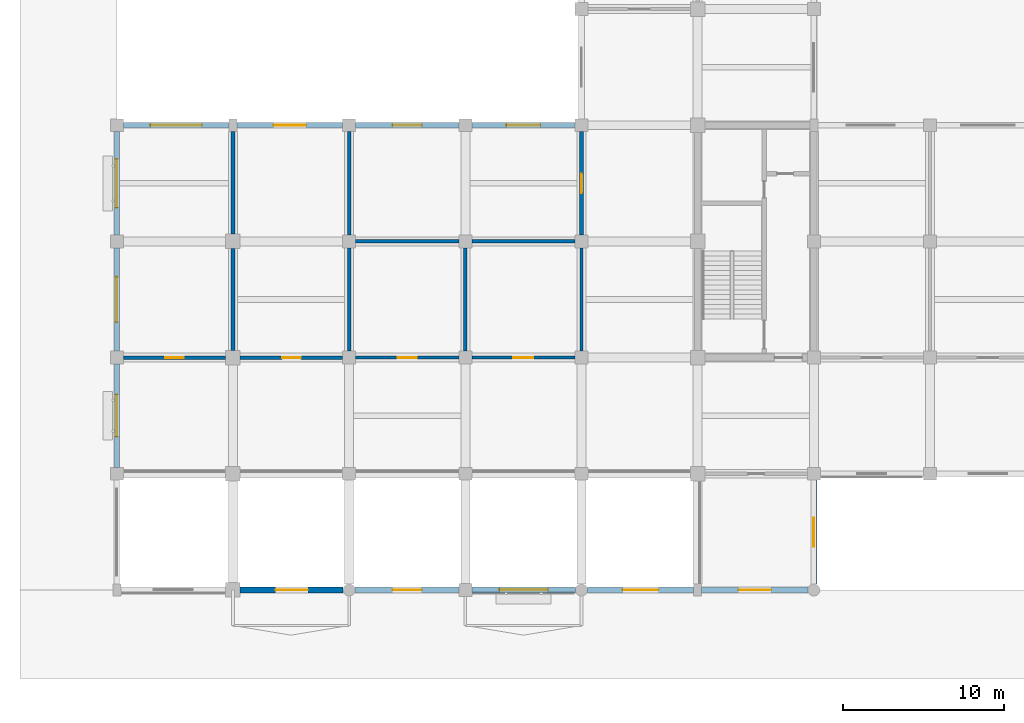
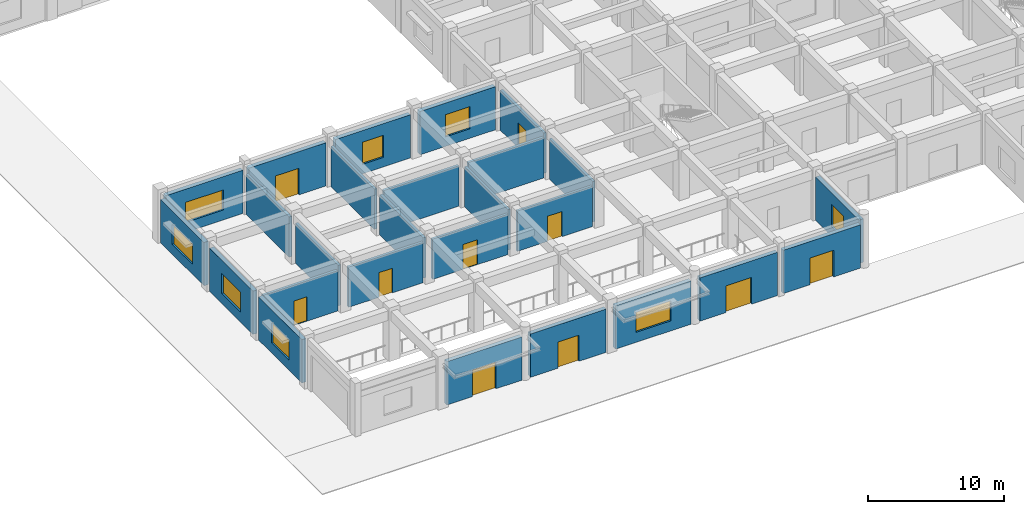
# One storey, part 8 of 37: 26 walls, 10 doors, 8 windows, 18 openings.
"""IFC4 building model written with IfcOpenShell, lengths in metres."""

from ifc_helpers import new_model, si_unit, direction, frame, frame_2d, origin, place, context, subcontext, project, spatial, rectangle, extrude, material, layer, layer_set, type_object, element, fill, save


model = new_model("IFC4")

# Units and contexts
model_context = context("Model", 3, precision=1e-05, world=origin(), true_north=direction((0.0, 1.0)))
body_context = subcontext(model_context, "Body", "Model", "MODEL_VIEW")
ifc_project = project(units=[si_unit("LENGTHUNIT", "METRE"), si_unit("AREAUNIT", "SQUARE_METRE"), si_unit("VOLUMEUNIT", "CUBIC_METRE"), si_unit("PLANEANGLEUNIT", "RADIAN"), si_unit("MASSUNIT", "GRAM", prefix="KILO")], contexts=[model_context])

# Site, building, storey
site_placement = place(None, origin())
site = spatial("IfcSite", under=ifc_project, at=site_placement, CompositionType="ELEMENT")
building_placement = place(site_placement, origin())
building = spatial("IfcBuilding", under=site, at=building_placement, Name="Cendaluz Park School", CompositionType="ELEMENT")
storey_placement = place(building_placement, origin())
storey = spatial("IfcBuildingStorey", under=building, at=storey_placement, Name="L00", CompositionType="ELEMENT", Elevation=0.0)

# Wall, opening, door
ifc_material_1 = material(Name="Gypsum Plasterboard on Cold-Formed Stud", Category="gypsum")
ifc_layer_1 = layer(ifc_material_1, 0.199951171875)
ifc_layer_set_1 = layer_set([ifc_layer_1], Name="Gypsum Plasterboard on Cold-Formed Stud")
wall_type_1 = type_object("IfcWallType", Name="W-AC20", PredefinedType="PARTITIONING", material=ifc_layer_set_1)
wall_1_placement = place(storey_placement, frame((14.800048828125, 14.39990234375, 0.0), z_axis=(0.0, 0.0, 1.0), x_axis=(1.0, 0.0, 0.0)))
wall_1 = element("IfcWall", 1, at=wall_1_placement, inside=storey, type_object=wall_type_1, Name="WL-FA-CI7", PredefinedType="PARTITIONING", context=body_context, shape_type="SweptSolid", body=[
    extrude(rectangle(XDim=6.39990234375, YDim=0.199951171875, at=frame_2d((3.199951171875, 0.0))), origin(), (0.0, 0.0, 1.0), 3.6201171875),
])
opening_1_placement = place(wall_1_placement, frame((2.60009765625, 0.0, 0.0)))
opening_1 = element("IfcOpeningElement", 2, at=opening_1_placement, cuts=wall_1, Name="Opening DCL-08", PredefinedType="OPENING", context=body_context, shape_type="SweptSolid", body=[
    extrude(rectangle(XDim=1.199951171875, YDim=2.239990234375, at=frame_2d((0.60009765625, 1.1201171875))), frame((0.0, 0.112060546875, 0.0), z_axis=(0.0, -1.0, 0.0), x_axis=(1.0, 0.0, 0.0)), (0.0, 0.0, 1.0), 0.223876953125),
])
ifc_material_2 = material(Name="Solid Core Hardwood", Category="wood")
door_type_1 = type_object("IfcDoorType", Name="DCL-08", OperationType="NOTDEFINED", PredefinedType="DOOR", material=ifc_material_2)
door_1_placement = place(opening_1_placement, origin())
door_1 = element("IfcDoor", 3, at=door_1_placement, inside=storey, type_object=door_type_1, Name="D-L00-090", OperationType="SINGLE_SWING_RIGHT", OverallHeight=2.239990234375, OverallWidth=1.199951171875, PredefinedType="DOOR", context=body_context, shape_type="SweptSolid", body=[
    extrude(rectangle(XDim=1.199951171875, YDim=2.239990234375, at=frame_2d((0.60009765625, 1.1201171875))), frame((0.0, 0.02490234375, 0.0), z_axis=(0.0, -1.0, 0.0), x_axis=(1.0, 0.0, 0.0)), (0.0, 0.0, 1.0), 0.050048828125),
])
fill(opening_1, door_1)

# Wall
wall_2_placement = place(storey_placement, frame((21.60009765625, 14.800048828125, 0.0), z_axis=(0.0, 0.0, 1.0), x_axis=(0.0, 1.0, 0.0)))
element("IfcWall", 4, at=wall_2_placement, inside=storey, type_object=wall_type_1, Name="WL-FA-CI8", PredefinedType="PARTITIONING", context=body_context, shape_type="SweptSolid", body=[
    extrude(rectangle(XDim=6.39990234375, YDim=0.199951171875, at=frame_2d((3.199951171875, 0.0))), origin(), (0.0, 0.0, 1.0), 3.6201171875),
])

# Wall, opening, door
wall_3_placement = place(storey_placement, frame((22.0, 14.39990234375, 0.0), z_axis=(0.0, 0.0, 1.0), x_axis=(1.0, 0.0, 0.0)))
wall_3 = element("IfcWall", 5, at=wall_3_placement, inside=storey, type_object=wall_type_1, Name="WL-FA-CI9", PredefinedType="PARTITIONING", context=body_context, shape_type="SweptSolid", body=[
    extrude(rectangle(XDim=6.39990234375, YDim=0.199951171875, at=frame_2d((3.199951171875, 0.0))), origin(), (0.0, 0.0, 1.0), 3.6201171875),
])
opening_2_placement = place(wall_3_placement, frame((2.580078125, 0.0, 0.0)))
opening_2 = element("IfcOpeningElement", 6, at=opening_2_placement, cuts=wall_3, Name="Opening DCL-09", PredefinedType="OPENING", context=body_context, shape_type="SweptSolid", body=[
    extrude(rectangle(XDim=1.239990234375, YDim=2.260009765625, at=frame_2d((0.6201171875, 1.1298828125))), frame((0.0, 0.112060546875, 0.0), z_axis=(0.0, -1.0, 0.0), x_axis=(1.0, 0.0, 0.0)), (0.0, 0.0, 1.0), 0.223876953125),
])
door_type_2 = type_object("IfcDoorType", Name="DCL-09", OperationType="NOTDEFINED", PredefinedType="DOOR", material=ifc_material_2)
door_2_placement = place(opening_2_placement, origin())
door_2 = element("IfcDoor", 7, at=door_2_placement, inside=storey, type_object=door_type_2, Name="D-L00-091", OperationType="SINGLE_SWING_LEFT", OverallHeight=2.260009765625, OverallWidth=1.239990234375, PredefinedType="DOOR", context=body_context, shape_type="SweptSolid", body=[
    extrude(rectangle(XDim=1.239990234375, YDim=2.260009765625, at=frame_2d((0.6201171875, 1.1298828125))), frame((0.0, 0.02490234375, 0.0), z_axis=(0.0, -1.0, 0.0), x_axis=(1.0, 0.0, 0.0)), (0.0, 0.0, 1.0), 0.050048828125),
])
fill(opening_2, door_2)

# Wall
wall_4_placement = place(storey_placement, frame((28.800048828125, 14.800048828125, 0.0), z_axis=(0.0, 0.0, 1.0), x_axis=(0.0, 1.0, 0.0)))
element("IfcWall", 8, at=wall_4_placement, inside=storey, type_object=wall_type_1, Name="WL-FA-CJ0", PredefinedType="PARTITIONING", context=body_context, shape_type="SweptSolid", body=[
    extrude(rectangle(XDim=6.39990234375, YDim=0.199951171875, at=frame_2d((3.199951171875, 0.0))), origin(), (0.0, 0.0, 1.0), 3.6201171875),
])

# Wall, opening, window
ifc_material_3 = material(Name="Concrete C40/50 precast", Category="concrete")
ifc_layer_2 = layer(ifc_material_3, 0.360107421875)
ifc_layer_set_2 = layer_set([ifc_layer_2], Name="Concrete C40/50 precast")
wall_type_2 = type_object("IfcWallType", Name="W-EX36", PredefinedType="SOLIDWALL", material=ifc_layer_set_2)
wall_5_placement = place(storey_placement, frame((0.0, 7.60009765625, 0.0), z_axis=(0.0, 0.0, 1.0), x_axis=(0.0, 1.0, 0.0)))
wall_5 = element("IfcWall", 9, at=wall_5_placement, inside=storey, type_object=wall_type_2, Name="WL-FA-AA2", PredefinedType="SOLIDWALL", context=body_context, shape_type="SweptSolid", body=[
    extrude(rectangle(XDim=6.39990234375, YDim=0.360107421875, at=frame_2d((3.199951171875, 0.0))), origin(), (0.0, 0.0, 1.0), 3.889892578125),
])
opening_3_placement = place(wall_5_placement, frame((1.89990234375, 0.0, 0.89990234375)))
opening_3 = element("IfcOpeningElement", 10, at=opening_3_placement, cuts=wall_5, Name="Opening WN-05", PredefinedType="OPENING", context=body_context, shape_type="SweptSolid", body=[
    extrude(rectangle(XDim=2.60009765625, YDim=1.800048828125, at=frame_2d((1.300048828125, 0.89990234375))), frame((0.0, 0.192138671875, 0.0), z_axis=(0.0, -1.0, 0.0), x_axis=(1.0, 0.0, 0.0)), (0.0, 0.0, 1.0), 0.384033203125),
])
ifc_material_4 = material(Name="Tempered Low-E Double Glazing", Category="glass")
window_type_1 = type_object("IfcWindowType", Name="WN-05", PartitioningType="SINGLE_PANEL", PredefinedType="WINDOW", material=ifc_material_4)
window_1_placement = place(opening_3_placement, origin())
window_1 = element("IfcWindow", 11, at=window_1_placement, inside=storey, type_object=window_type_1, Name="WN-L00-002", OverallHeight=1.800048828125, OverallWidth=2.60009765625, PartitioningType="SINGLE_PANEL", PredefinedType="WINDOW", context=body_context, shape_type="SweptSolid", body=[
    extrude(rectangle(XDim=2.60009765625, YDim=1.800048828125, at=frame_2d((1.300048828125, 0.89990234375))), frame((0.0, 0.030029296875, 0.0), z_axis=(0.0, -1.0, 0.0), x_axis=(1.0, 0.0, 0.0)), (0.0, 0.0, 1.0), 0.06005859375),
])
fill(opening_3, window_1)

wall_6_placement = place(storey_placement, frame((0.0, 14.800048828125, 0.0), z_axis=(0.0, 0.0, 1.0), x_axis=(0.0, 1.0, 0.0)))
wall_6 = element("IfcWall", 12, at=wall_6_placement, inside=storey, type_object=wall_type_2, Name="WL-FA-AA3", PredefinedType="SOLIDWALL", context=body_context, shape_type="SweptSolid", body=[
    extrude(rectangle(XDim=6.39990234375, YDim=0.360107421875, at=frame_2d((3.199951171875, 0.0))), origin(), (0.0, 0.0, 1.0), 3.889892578125),
])
opening_4_placement = place(wall_6_placement, frame((1.800048828125, 0.0, 0.89990234375)))
opening_4 = element("IfcOpeningElement", 13, at=opening_4_placement, cuts=wall_6, Name="Opening WN-06", PredefinedType="OPENING", context=body_context, shape_type="SweptSolid", body=[
    extrude(rectangle(XDim=2.800048828125, YDim=1.800048828125, at=frame_2d((1.39990234375, 0.89990234375))), frame((0.0, 0.192138671875, 0.0), z_axis=(0.0, -1.0, 0.0), x_axis=(1.0, 0.0, 0.0)), (0.0, 0.0, 1.0), 0.384033203125),
])
window_type_2 = type_object("IfcWindowType", Name="WN-06", PartitioningType="SINGLE_PANEL", PredefinedType="WINDOW", material=ifc_material_4)
window_2_placement = place(opening_4_placement, origin())
window_2 = element("IfcWindow", 14, at=window_2_placement, inside=storey, type_object=window_type_2, Name="WN-L00-003", OverallHeight=1.800048828125, OverallWidth=2.800048828125, PartitioningType="SINGLE_PANEL", PredefinedType="WINDOW", context=body_context, shape_type="SweptSolid", body=[
    extrude(rectangle(XDim=2.800048828125, YDim=1.800048828125, at=frame_2d((1.39990234375, 0.89990234375))), frame((0.0, 0.030029296875, 0.0), z_axis=(0.0, -1.0, 0.0), x_axis=(1.0, 0.0, 0.0)), (0.0, 0.0, 1.0), 0.06005859375),
])
fill(opening_4, window_2)

wall_7_placement = place(storey_placement, frame((0.39990234375, 28.800048828125, 0.0), z_axis=(0.0, 0.0, 1.0), x_axis=(1.0, 0.0, 0.0)))
wall_7 = element("IfcWall", 15, at=wall_7_placement, inside=storey, type_object=wall_type_2, Name="WL-FA-AA4", PredefinedType="SOLIDWALL", context=body_context, shape_type="SweptSolid", body=[
    extrude(rectangle(XDim=6.550048828125, YDim=0.360107421875, at=frame_2d((3.27490234375, 0.0))), origin(), (0.0, 0.0, 1.0), 3.889892578125),
])
opening_5_placement = place(wall_7_placement, frame((1.675048828125, 0.0, 0.89990234375)))
opening_5 = element("IfcOpeningElement", 16, at=opening_5_placement, cuts=wall_7, Name="Opening WN-08", PredefinedType="OPENING", context=body_context, shape_type="SweptSolid", body=[
    extrude(rectangle(XDim=3.199951171875, YDim=1.800048828125, at=frame_2d((1.60009765625, 0.89990234375))), frame((0.0, 0.192138671875, 0.0), z_axis=(0.0, -1.0, 0.0), x_axis=(1.0, 0.0, 0.0)), (0.0, 0.0, 1.0), 0.384033203125),
])
window_type_3 = type_object("IfcWindowType", Name="WN-08", PartitioningType="SINGLE_PANEL", PredefinedType="WINDOW", material=ifc_material_4)
window_3_placement = place(opening_5_placement, origin())
window_3 = element("IfcWindow", 17, at=window_3_placement, inside=storey, type_object=window_type_3, Name="WN-L00-004", OverallHeight=1.800048828125, OverallWidth=3.199951171875, PartitioningType="SINGLE_PANEL", PredefinedType="WINDOW", context=body_context, shape_type="SweptSolid", body=[
    extrude(rectangle(XDim=3.199951171875, YDim=1.800048828125, at=frame_2d((1.60009765625, 0.89990234375))), frame((0.0, 0.030029296875, 0.0), z_axis=(0.0, -1.0, 0.0), x_axis=(1.0, 0.0, 0.0)), (0.0, 0.0, 1.0), 0.06005859375),
])
fill(opening_5, window_3)

wall_8_placement = place(storey_placement, frame((0.0, 22.0, 0.0), z_axis=(0.0, 0.0, 1.0), x_axis=(0.0, 1.0, 0.0)))
wall_8 = element("IfcWall", 18, at=wall_8_placement, inside=storey, type_object=wall_type_2, Name="WL-FA-AA5", PredefinedType="SOLIDWALL", context=body_context, shape_type="SweptSolid", body=[
    extrude(rectangle(XDim=6.39990234375, YDim=0.360107421875, at=frame_2d((3.199951171875, 0.0))), origin(), (0.0, 0.0, 1.0), 3.889892578125),
])
opening_6_placement = place(wall_8_placement, frame((1.699951171875, 0.0, 0.89990234375)))
opening_6 = element("IfcOpeningElement", 19, at=opening_6_placement, cuts=wall_8, Name="Opening WN-07", PredefinedType="OPENING", context=body_context, shape_type="SweptSolid", body=[
    extrude(rectangle(XDim=3.0, YDim=1.800048828125, at=frame_2d((1.5, 0.89990234375))), frame((0.0, 0.192138671875, 0.0), z_axis=(0.0, -1.0, 0.0), x_axis=(1.0, 0.0, 0.0)), (0.0, 0.0, 1.0), 0.384033203125),
])
window_type_4 = type_object("IfcWindowType", Name="WN-07", PartitioningType="SINGLE_PANEL", PredefinedType="WINDOW", material=ifc_material_4)
window_4_placement = place(opening_6_placement, origin())
window_4 = element("IfcWindow", 20, at=window_4_placement, inside=storey, type_object=window_type_4, Name="WN-L00-005", OverallHeight=1.800048828125, OverallWidth=3.0, PartitioningType="SINGLE_PANEL", PredefinedType="WINDOW", context=body_context, shape_type="SweptSolid", body=[
    extrude(rectangle(XDim=3.0, YDim=1.800048828125, at=frame_2d((1.5, 0.89990234375))), frame((0.0, 0.030029296875, 0.0), z_axis=(0.0, -1.0, 0.0), x_axis=(1.0, 0.0, 0.0)), (0.0, 0.0, 1.0), 0.06005859375),
])
fill(opening_6, window_4)

# Wall, opening, door
wall_9_placement = place(storey_placement, frame((7.64990234375, 0.0, 0.0), z_axis=(0.0, 0.0, 1.0), x_axis=(1.0, 0.0, 0.0)))
wall_9 = element("IfcWall", 21, at=wall_9_placement, inside=storey, type_object=wall_type_2, Name="WL-FA-AB6", PredefinedType="SOLIDWALL", context=body_context, shape_type="SweptSolid", body=[
    extrude(rectangle(XDim=6.375, YDim=0.360107421875, at=frame_2d((3.1875, 0.0))), origin(), (0.0, 0.0, 1.0), 3.889892578125),
])
opening_7_placement = place(wall_9_placement, frame((2.1875, 0.0, 0.0)))
opening_7 = element("IfcOpeningElement", 22, at=opening_7_placement, cuts=wall_9, Name="Opening DEX-02", PredefinedType="OPENING", context=body_context, shape_type="SweptSolid", body=[
    extrude(rectangle(XDim=2.0, YDim=2.39990234375, at=frame_2d((1.0, 1.199951171875))), frame((0.0, 0.192138671875, 0.0), z_axis=(0.0, -1.0, 0.0), x_axis=(1.0, 0.0, 0.0)), (0.0, 0.0, 1.0), 0.384033203125),
])
ifc_material_5 = material(Name="Architectural Bronze")
door_type_3 = type_object("IfcDoorType", Name="DEX-02", OperationType="DOUBLE_DOOR_SINGLE_SWING", PredefinedType="DOOR", material=ifc_material_5)
door_3_placement = place(opening_7_placement, frame((2.0, 0.0, 0.0), z_axis=(0.0, 0.0, 1.0), x_axis=(-1.0, 0.0, 0.0)))
door_3 = element("IfcDoor", 23, at=door_3_placement, inside=storey, type_object=door_type_3, Name="D-L00-002", OperationType="DOUBLE_DOOR_SINGLE_SWING", OverallHeight=2.39990234375, OverallWidth=2.0, PredefinedType="DOOR", context=body_context, shape_type="SweptSolid", body=[
    extrude(rectangle(XDim=2.0, YDim=2.39990234375, at=frame_2d((1.0, 1.199951171875))), frame((0.0, 0.02490234375, 0.0), z_axis=(0.0, -1.0, 0.0), x_axis=(1.0, 0.0, 0.0)), (0.0, 0.0, 1.0), 0.050048828125),
])
fill(opening_7, door_3)

wall_10_placement = place(storey_placement, frame((7.449951171875, 28.800048828125, 0.0), z_axis=(0.0, 0.0, 1.0), x_axis=(1.0, 0.0, 0.0)))
wall_10 = element("IfcWall", 24, at=wall_10_placement, inside=storey, type_object=wall_type_2, Name="WL-FA-AB7", PredefinedType="SOLIDWALL", context=body_context, shape_type="SweptSolid", body=[
    extrude(rectangle(XDim=6.550048828125, YDim=0.360107421875, at=frame_2d((3.27490234375, 0.0))), origin(), (0.0, 0.0, 1.0), 3.889892578125),
])
opening_8_placement = place(wall_10_placement, frame((2.27490234375, 0.0, 0.0)))
opening_8 = element("IfcOpeningElement", 25, at=opening_8_placement, cuts=wall_10, Name="Opening DEX-02", PredefinedType="OPENING", context=body_context, shape_type="SweptSolid", body=[
    extrude(rectangle(XDim=2.0, YDim=2.39990234375, at=frame_2d((1.0, 1.199951171875))), frame((0.0, 0.192138671875, 0.0), z_axis=(0.0, -1.0, 0.0), x_axis=(1.0, 0.0, 0.0)), (0.0, 0.0, 1.0), 0.384033203125),
])
door_4_placement = place(opening_8_placement, origin())
door_4 = element("IfcDoor", 26, at=door_4_placement, inside=storey, type_object=door_type_3, Name="D-L00-003", OperationType="DOUBLE_DOOR_SINGLE_SWING", OverallHeight=2.39990234375, OverallWidth=2.0, PredefinedType="DOOR", context=body_context, shape_type="SweptSolid", body=[
    extrude(rectangle(XDim=2.0, YDim=2.39990234375, at=frame_2d((1.0, 1.199951171875))), frame((0.0, 0.02490234375, 0.0), z_axis=(0.0, -1.0, 0.0), x_axis=(1.0, 0.0, 0.0)), (0.0, 0.0, 1.0), 0.050048828125),
])
fill(opening_8, door_4)

wall_11_placement = place(storey_placement, frame((14.77490234375, 0.0, 0.0), z_axis=(0.0, 0.0, 1.0), x_axis=(1.0, 0.0, 0.0)))
wall_11 = element("IfcWall", 27, at=wall_11_placement, inside=storey, type_object=wall_type_2, Name="WL-FA-AC0", PredefinedType="SOLIDWALL", context=body_context, shape_type="SweptSolid", body=[
    extrude(rectangle(XDim=6.425048828125, YDim=0.360107421875, at=frame_2d((3.21240234375, 0.0))), origin(), (0.0, 0.0, 1.0), 3.889892578125),
])
opening_9_placement = place(wall_11_placement, frame((2.3125, 0.0, 0.0)))
opening_9 = element("IfcOpeningElement", 28, at=opening_9_placement, cuts=wall_11, Name="Opening DEX-03", PredefinedType="OPENING", context=body_context, shape_type="SweptSolid", body=[
    extrude(rectangle(XDim=1.800048828125, YDim=2.35009765625, at=frame_2d((0.89990234375, 1.175048828125))), frame((0.0, 0.192138671875, 0.0), z_axis=(0.0, -1.0, 0.0), x_axis=(1.0, 0.0, 0.0)), (0.0, 0.0, 1.0), 0.384033203125),
])
door_type_4 = type_object("IfcDoorType", Name="DEX-03", OperationType="DOUBLE_DOOR_SINGLE_SWING", PredefinedType="DOOR", material=ifc_material_5)
door_5_placement = place(opening_9_placement, frame((1.800048828125, 0.0, 0.0), z_axis=(0.0, 0.0, 1.0), x_axis=(-1.0, 0.0, 0.0)))
door_5 = element("IfcDoor", 29, at=door_5_placement, inside=storey, type_object=door_type_4, Name="D-L00-006", OperationType="DOUBLE_DOOR_SINGLE_SWING", OverallHeight=2.35009765625, OverallWidth=1.800048828125, PredefinedType="DOOR", context=body_context, shape_type="SweptSolid", body=[
    extrude(rectangle(XDim=1.800048828125, YDim=2.35009765625, at=frame_2d((0.89990234375, 1.175048828125))), frame((0.0, 0.02490234375, 0.0), z_axis=(0.0, -1.0, 0.0), x_axis=(1.0, 0.0, 0.0)), (0.0, 0.0, 1.0), 0.050048828125),
])
fill(opening_9, door_5)

# Wall, opening, window
wall_12_placement = place(storey_placement, frame((14.800048828125, 28.800048828125, 0.0), z_axis=(0.0, 0.0, 1.0), x_axis=(1.0, 0.0, 0.0)))
wall_12 = element("IfcWall", 30, at=wall_12_placement, inside=storey, type_object=wall_type_2, Name="WL-FA-AC1", PredefinedType="SOLIDWALL", context=body_context, shape_type="SweptSolid", body=[
    extrude(rectangle(XDim=6.39990234375, YDim=0.360107421875, at=frame_2d((3.199951171875, 0.0))), origin(), (0.0, 0.0, 1.0), 3.889892578125),
])
opening_10_placement = place(wall_12_placement, frame((2.300048828125, 0.0, 0.85009765625)))
opening_10 = element("IfcOpeningElement", 31, at=opening_10_placement, cuts=wall_12, Name="Opening WN-10", PredefinedType="OPENING", context=body_context, shape_type="SweptSolid", body=[
    extrude(rectangle(XDim=1.800048828125, YDim=2.0, at=frame_2d((0.89990234375, 1.0))), frame((0.0, 0.192138671875, 0.0), z_axis=(0.0, -1.0, 0.0), x_axis=(1.0, 0.0, 0.0)), (0.0, 0.0, 1.0), 0.384033203125),
])
window_type_5 = type_object("IfcWindowType", Name="WN-10", PartitioningType="SINGLE_PANEL", PredefinedType="WINDOW", material=ifc_material_4)
window_5_placement = place(opening_10_placement, origin())
window_5 = element("IfcWindow", 32, at=window_5_placement, inside=storey, type_object=window_type_5, Name="WN-L00-016", OverallHeight=2.0, OverallWidth=1.800048828125, PartitioningType="SINGLE_PANEL", PredefinedType="WINDOW", context=body_context, shape_type="SweptSolid", body=[
    extrude(rectangle(XDim=1.800048828125, YDim=2.0, at=frame_2d((0.89990234375, 1.0))), frame((0.0, 0.030029296875, 0.0), z_axis=(0.0, -1.0, 0.0), x_axis=(1.0, 0.0, 0.0)), (0.0, 0.0, 1.0), 0.06005859375),
])
fill(opening_10, window_5)

wall_13_placement = place(storey_placement, frame((22.0, 0.0, 0.0), z_axis=(0.0, 0.0, 1.0), x_axis=(1.0, 0.0, 0.0)))
wall_13 = element("IfcWall", 33, at=wall_13_placement, inside=storey, type_object=wall_type_2, Name="WL-FA-AC4", PredefinedType="SOLIDWALL", context=body_context, shape_type="SweptSolid", body=[
    extrude(rectangle(XDim=6.425048828125, YDim=0.360107421875, at=frame_2d((3.21240234375, 0.0))), origin(), (0.0, 0.0, 1.0), 3.889892578125),
])
opening_11_placement = place(wall_13_placement, frame((1.71240234375, 0.0, 0.89990234375)))
opening_11 = element("IfcOpeningElement", 34, at=opening_11_placement, cuts=wall_13, Name="Opening WN-07", PredefinedType="OPENING", context=body_context, shape_type="SweptSolid", body=[
    extrude(rectangle(XDim=3.0, YDim=1.800048828125, at=frame_2d((1.5, 0.89990234375))), frame((0.0, 0.192138671875, 0.0), z_axis=(0.0, -1.0, 0.0), x_axis=(1.0, 0.0, 0.0)), (0.0, 0.0, 1.0), 0.384033203125),
])
window_6_placement = place(opening_11_placement, origin())
window_6 = element("IfcWindow", 35, at=window_6_placement, inside=storey, type_object=window_type_4, Name="WN-L00-018", OverallHeight=1.800048828125, OverallWidth=3.0, PartitioningType="SINGLE_PANEL", PredefinedType="WINDOW", context=body_context, shape_type="SweptSolid", body=[
    extrude(rectangle(XDim=3.0, YDim=1.800048828125, at=frame_2d((1.5, 0.89990234375))), frame((0.0, 0.030029296875, 0.0), z_axis=(0.0, -1.0, 0.0), x_axis=(1.0, 0.0, 0.0)), (0.0, 0.0, 1.0), 0.06005859375),
])
fill(opening_11, window_6)

wall_14_placement = place(storey_placement, frame((22.0, 28.800048828125, 0.0), z_axis=(0.0, 0.0, 1.0), x_axis=(1.0, 0.0, 0.0)))
wall_14 = element("IfcWall", 36, at=wall_14_placement, inside=storey, type_object=wall_type_2, Name="WL-FA-AC5", PredefinedType="SOLIDWALL", context=body_context, shape_type="SweptSolid", body=[
    extrude(rectangle(XDim=6.39990234375, YDim=0.360107421875, at=frame_2d((3.199951171875, 0.0))), origin(), (0.0, 0.0, 1.0), 3.889892578125),
])
opening_12_placement = place(wall_14_placement, frame((2.14990234375, 0.0, 0.85009765625)))
opening_12 = element("IfcOpeningElement", 37, at=opening_12_placement, cuts=wall_14, Name="Opening WN-11", PredefinedType="OPENING", context=body_context, shape_type="SweptSolid", body=[
    extrude(rectangle(XDim=2.10009765625, YDim=2.0, at=frame_2d((1.050048828125, 1.0))), frame((0.0, 0.192138671875, 0.0), z_axis=(0.0, -1.0, 0.0), x_axis=(1.0, 0.0, 0.0)), (0.0, 0.0, 1.0), 0.384033203125),
])
window_type_6 = type_object("IfcWindowType", Name="WN-11", PartitioningType="SINGLE_PANEL", PredefinedType="WINDOW", material=ifc_material_4)
window_7_placement = place(opening_12_placement, origin())
window_7 = element("IfcWindow", 38, at=window_7_placement, inside=storey, type_object=window_type_6, Name="WN-L00-019", OverallHeight=2.0, OverallWidth=2.10009765625, PartitioningType="SINGLE_PANEL", PredefinedType="WINDOW", context=body_context, shape_type="SweptSolid", body=[
    extrude(rectangle(XDim=2.10009765625, YDim=2.0, at=frame_2d((1.050048828125, 1.0))), frame((0.0, 0.030029296875, 0.0), z_axis=(0.0, -1.0, 0.0), x_axis=(1.0, 0.0, 0.0)), (0.0, 0.0, 1.0), 0.06005859375),
])
fill(opening_12, window_7)

# Wall, opening, door
wall_15_placement = place(storey_placement, frame((29.175048828125, 0.0, 0.0), z_axis=(0.0, 0.0, 1.0), x_axis=(1.0, 0.0, 0.0)))
wall_15 = element("IfcWall", 39, at=wall_15_placement, inside=storey, type_object=wall_type_2, Name="WL-FA-AC8", PredefinedType="SOLIDWALL", context=body_context, shape_type="SweptSolid", body=[
    extrude(rectangle(XDim=6.574951171875, YDim=0.360107421875, at=frame_2d((3.28759765625, 0.0))), origin(), (0.0, 0.0, 1.0), 3.889892578125),
])
opening_13_placement = place(wall_15_placement, frame((2.1875, 0.0, 0.0)))
opening_13 = element("IfcOpeningElement", 40, at=opening_13_placement, cuts=wall_15, Name="Opening DEX-01", PredefinedType="OPENING", context=body_context, shape_type="SweptSolid", body=[
    extrude(rectangle(XDim=2.199951171875, YDim=2.39990234375, at=frame_2d((1.10009765625, 1.199951171875))), frame((0.0, 0.192138671875, 0.0), z_axis=(0.0, -1.0, 0.0), x_axis=(1.0, 0.0, 0.0)), (0.0, 0.0, 1.0), 0.384033203125),
])
door_type_5 = type_object("IfcDoorType", Name="DEX-01", OperationType="DOUBLE_DOOR_SINGLE_SWING", PredefinedType="DOOR", material=ifc_material_5)
door_6_placement = place(opening_13_placement, frame((2.199951171875, 0.0, 0.0), z_axis=(0.0, 0.0, 1.0), x_axis=(-1.0, 0.0, 0.0)))
door_6 = element("IfcDoor", 41, at=door_6_placement, inside=storey, type_object=door_type_5, Name="D-L00-008", OperationType="DOUBLE_DOOR_SINGLE_SWING", OverallHeight=2.39990234375, OverallWidth=2.199951171875, PredefinedType="DOOR", context=body_context, shape_type="SweptSolid", body=[
    extrude(rectangle(XDim=2.199951171875, YDim=2.39990234375, at=frame_2d((1.10009765625, 1.199951171875))), frame((0.0, 0.02490234375, 0.0), z_axis=(0.0, -1.0, 0.0), x_axis=(1.0, 0.0, 0.0)), (0.0, 0.0, 1.0), 0.050048828125),
])
fill(opening_13, door_6)

wall_16_placement = place(storey_placement, frame((36.25, 0.0, 0.0), z_axis=(0.0, 0.0, 1.0), x_axis=(1.0, 0.0, 0.0)))
wall_16 = element("IfcWall", 42, at=wall_16_placement, inside=storey, type_object=wall_type_2, Name="WL-FA-AD2", PredefinedType="SOLIDWALL", context=body_context, shape_type="SweptSolid", body=[
    extrude(rectangle(XDim=6.574951171875, YDim=0.360107421875, at=frame_2d((3.28759765625, 0.0))), origin(), (0.0, 0.0, 1.0), 3.889892578125),
])
opening_14_placement = place(wall_16_placement, frame((2.28759765625, 0.0, 0.0)))
opening_14 = element("IfcOpeningElement", 43, at=opening_14_placement, cuts=wall_16, Name="Opening DEX-02", PredefinedType="OPENING", context=body_context, shape_type="SweptSolid", body=[
    extrude(rectangle(XDim=2.0, YDim=2.39990234375, at=frame_2d((1.0, 1.199951171875))), frame((0.0, 0.192138671875, 0.0), z_axis=(0.0, -1.0, 0.0), x_axis=(1.0, 0.0, 0.0)), (0.0, 0.0, 1.0), 0.384033203125),
])
door_7_placement = place(opening_14_placement, frame((2.0, 0.0, 0.0), z_axis=(0.0, 0.0, 1.0), x_axis=(-1.0, 0.0, 0.0)))
door_7 = element("IfcDoor", 44, at=door_7_placement, inside=storey, type_object=door_type_3, Name="D-L00-010", OperationType="DOUBLE_DOOR_SINGLE_SWING", OverallHeight=2.39990234375, OverallWidth=2.0, PredefinedType="DOOR", context=body_context, shape_type="SweptSolid", body=[
    extrude(rectangle(XDim=2.0, YDim=2.39990234375, at=frame_2d((1.0, 1.199951171875))), frame((0.0, 0.02490234375, 0.0), z_axis=(0.0, -1.0, 0.0), x_axis=(1.0, 0.0, 0.0)), (0.0, 0.0, 1.0), 0.050048828125),
])
fill(opening_14, door_7)

# Wall, opening, window
wall_17_placement = place(storey_placement, frame((43.199951171875, 0.375, 0.0), z_axis=(0.0, 0.0, 1.0), x_axis=(0.0, 1.0, 0.0)))
wall_17 = element("IfcWall", 45, at=wall_17_placement, inside=storey, type_object=wall_type_2, Name="WL-FA-AD3", PredefinedType="SOLIDWALL", context=body_context, shape_type="SweptSolid", body=[
    extrude(rectangle(XDim=6.425048828125, YDim=0.360107421875, at=frame_2d((3.21240234375, 0.0))), origin(), (0.0, 0.0, 1.0), 3.889892578125),
])
opening_15_placement = place(wall_17_placement, frame((2.3125, 0.0, 0.85009765625)))
opening_15 = element("IfcOpeningElement", 46, at=opening_15_placement, cuts=wall_17, Name="Opening WN-10", PredefinedType="OPENING", context=body_context, shape_type="SweptSolid", body=[
    extrude(rectangle(XDim=1.800048828125, YDim=2.0, at=frame_2d((0.89990234375, 1.0))), frame((0.0, 0.192138671875, 0.0), z_axis=(0.0, -1.0, 0.0), x_axis=(1.0, 0.0, 0.0)), (0.0, 0.0, 1.0), 0.384033203125),
])
window_8_placement = place(opening_15_placement, origin())
window_8 = element("IfcWindow", 47, at=window_8_placement, inside=storey, type_object=window_type_5, Name="WN-L00-024", OverallHeight=2.0, OverallWidth=1.800048828125, PartitioningType="SINGLE_PANEL", PredefinedType="WINDOW", context=body_context, shape_type="SweptSolid", body=[
    extrude(rectangle(XDim=1.800048828125, YDim=2.0, at=frame_2d((0.89990234375, 1.0))), frame((0.0, 0.030029296875, 0.0), z_axis=(0.0, -1.0, 0.0), x_axis=(1.0, 0.0, 0.0)), (0.0, 0.0, 1.0), 0.06005859375),
])
fill(opening_15, window_8)

# Wall, opening, door
ifc_layer_3 = layer(ifc_material_1, 0.219970703125)
ifc_layer_set_3 = layer_set([ifc_layer_3], Name="Gypsum Plasterboard on Cold-Formed Stud")
wall_type_3 = type_object("IfcWallType", Name="W-LB22", PredefinedType="PARTITIONING", material=ifc_layer_set_3)
wall_18_placement = place(storey_placement, frame((0.39990234375, 14.39990234375, 0.0), z_axis=(0.0, 0.0, 1.0), x_axis=(1.0, 0.0, 0.0)))
wall_18 = element("IfcWall", 48, at=wall_18_placement, inside=storey, type_object=wall_type_3, Name="WL-FA-CF5", PredefinedType="PARTITIONING", context=body_context, shape_type="SweptSolid", body=[
    extrude(rectangle(XDim=6.35009765625, YDim=0.219970703125, at=frame_2d((3.175048828125, 0.0))), origin(), (0.0, 0.0, 1.0), 3.6201171875),
])
opening_16_placement = place(wall_18_placement, frame((2.614990234375, 0.0, 0.0)))
opening_16 = element("IfcOpeningElement", 49, at=opening_16_placement, cuts=wall_18, Name="Opening DCL-06", PredefinedType="OPENING", context=body_context, shape_type="SweptSolid", body=[
    extrude(rectangle(XDim=1.1201171875, YDim=2.199951171875, at=frame_2d((0.56005859375, 1.10009765625))), frame((0.0, 0.1220703125, 0.0), z_axis=(0.0, -1.0, 0.0), x_axis=(1.0, 0.0, 0.0)), (0.0, 0.0, 1.0), 0.243896484375),
])
door_type_6 = type_object("IfcDoorType", Name="DCL-06", OperationType="NOTDEFINED", PredefinedType="DOOR", material=ifc_material_2)
door_8_placement = place(opening_16_placement, frame((1.1201171875, 0.0, 0.0), z_axis=(0.0, 0.0, 1.0), x_axis=(-1.0, 0.0, 0.0)))
door_8 = element("IfcDoor", 50, at=door_8_placement, inside=storey, type_object=door_type_6, Name="D-L00-078", OperationType="SINGLE_SWING_RIGHT", OverallHeight=2.199951171875, OverallWidth=1.1201171875, PredefinedType="DOOR", context=body_context, shape_type="SweptSolid", body=[
    extrude(rectangle(XDim=1.1201171875, YDim=2.199951171875, at=frame_2d((0.56005859375, 1.10009765625))), frame((0.0, 0.02490234375, 0.0), z_axis=(0.0, -1.0, 0.0), x_axis=(1.0, 0.0, 0.0)), (0.0, 0.0, 1.0), 0.050048828125),
])
fill(opening_16, door_8)

# Walls
wall_19_placement = place(storey_placement, frame((7.199951171875, 14.85009765625, 0.0), z_axis=(0.0, 0.0, 1.0), x_axis=(0.0, 1.0, 0.0)))
element("IfcWall", 51, at=wall_19_placement, inside=storey, type_object=wall_type_3, Name="WL-FA-CF6", PredefinedType="PARTITIONING", context=body_context, shape_type="SweptSolid", body=[
    extrude(rectangle(XDim=6.2998046875, YDim=0.219970703125, at=frame_2d((3.14990234375, 0.0))), origin(), (0.0, 0.0, 1.0), 3.6201171875),
])
wall_20_placement = place(storey_placement, frame((7.199951171875, 22.050048828125, 0.0), z_axis=(0.0, 0.0, 1.0), x_axis=(0.0, 1.0, 0.0)))
element("IfcWall", 52, at=wall_20_placement, inside=storey, type_object=wall_type_3, Name="WL-FA-CF7", PredefinedType="PARTITIONING", context=body_context, shape_type="SweptSolid", body=[
    extrude(rectangle(XDim=6.375, YDim=0.219970703125, at=frame_2d((3.1875, 0.0))), origin(), (0.0, 0.0, 1.0), 3.6201171875),
])

# Wall, opening, door
wall_21_placement = place(storey_placement, frame((7.64990234375, 14.39990234375, 0.0), z_axis=(0.0, 0.0, 1.0), x_axis=(1.0, 0.0, 0.0)))
wall_21 = element("IfcWall", 53, at=wall_21_placement, inside=storey, type_object=wall_type_3, Name="WL-FA-CF8", PredefinedType="PARTITIONING", context=body_context, shape_type="SweptSolid", body=[
    extrude(rectangle(XDim=6.35009765625, YDim=0.219970703125, at=frame_2d((3.175048828125, 0.0))), origin(), (0.0, 0.0, 1.0), 3.6201171875),
])
opening_17_placement = place(wall_21_placement, frame((2.594970703125, 0.0, 0.0)))
opening_17 = element("IfcOpeningElement", 54, at=opening_17_placement, cuts=wall_21, Name="Opening DCL-07", PredefinedType="OPENING", context=body_context, shape_type="SweptSolid", body=[
    extrude(rectangle(XDim=1.159912109375, YDim=2.219970703125, at=frame_2d((0.580078125, 1.10986328125))), frame((0.0, 0.1220703125, 0.0), z_axis=(0.0, -1.0, 0.0), x_axis=(1.0, 0.0, 0.0)), (0.0, 0.0, 1.0), 0.243896484375),
])
door_type_7 = type_object("IfcDoorType", Name="DCL-07", OperationType="NOTDEFINED", PredefinedType="DOOR", material=ifc_material_2)
door_9_placement = place(opening_17_placement, frame((1.159912109375, 0.0, 0.0), z_axis=(0.0, 0.0, 1.0), x_axis=(-1.0, 0.0, 0.0)))
door_9 = element("IfcDoor", 55, at=door_9_placement, inside=storey, type_object=door_type_7, Name="D-L00-079", OperationType="SINGLE_SWING_LEFT", OverallHeight=2.219970703125, OverallWidth=1.159912109375, PredefinedType="DOOR", context=body_context, shape_type="SweptSolid", body=[
    extrude(rectangle(XDim=1.159912109375, YDim=2.219970703125, at=frame_2d((0.580078125, 1.10986328125))), frame((0.0, 0.02490234375, 0.0), z_axis=(0.0, -1.0, 0.0), x_axis=(1.0, 0.0, 0.0)), (0.0, 0.0, 1.0), 0.050048828125),
])
fill(opening_17, door_9)

# Walls
for number, where, z_axis, x_axis, name in (
    (56, (14.39990234375, 14.800048828125, 0.0), (0.0, 0.0, 1.0), (0.0, 1.0, 0.0), "WL-FA-CF9"),
    (57, (14.39990234375, 22.0, 0.0), (0.0, 0.0, 1.0), (0.0, 1.0, 0.0), "WL-FA-CG0"),
    (58, (14.800048828125, 21.60009765625, 0.0), (0.0, 0.0, 1.0), (1.0, 0.0, 0.0), "WL-FA-CG1"),
    (59, (22.0, 21.60009765625, 0.0), (0.0, 0.0, 1.0), (1.0, 0.0, 0.0), "WL-FA-CG2"),
):
    element("IfcWall", number, at=place(storey_placement, frame(where, z_axis=z_axis, x_axis=x_axis)), inside=storey, type_object=wall_type_3, Name=name, PredefinedType="PARTITIONING", context=body_context, shape_type="SweptSolid", body=[
        extrude(rectangle(XDim=6.39990234375, YDim=0.219970703125, at=frame_2d((3.199951171875, 0.0))), origin(), (0.0, 0.0, 1.0), 3.6201171875),
    ])

# Wall, opening, door
wall_22_placement = place(storey_placement, frame((28.800048828125, 22.0, 0.0), z_axis=(0.0, 0.0, 1.0), x_axis=(0.0, 1.0, 0.0)))
wall_22 = element("IfcWall", 60, at=wall_22_placement, inside=storey, type_object=wall_type_3, Name="WL-FA-CG3", PredefinedType="PARTITIONING", context=body_context, shape_type="SweptSolid", body=[
    extrude(rectangle(XDim=6.39990234375, YDim=0.219970703125, at=frame_2d((3.199951171875, 0.0))), origin(), (0.0, 0.0, 1.0), 3.6201171875),
])
opening_18_placement = place(wall_22_placement, frame((2.60009765625, 0.0, 0.0)))
opening_18 = element("IfcOpeningElement", 61, at=opening_18_placement, cuts=wall_22, Name="Opening DCL-08", PredefinedType="OPENING", context=body_context, shape_type="SweptSolid", body=[
    extrude(rectangle(XDim=1.199951171875, YDim=2.239990234375, at=frame_2d((0.60009765625, 1.1201171875))), frame((0.0, 0.1220703125, 0.0), z_axis=(0.0, -1.0, 0.0), x_axis=(1.0, 0.0, 0.0)), (0.0, 0.0, 1.0), 0.243896484375),
])
door_10_placement = place(opening_18_placement, frame((1.199951171875, 0.0, 0.0), z_axis=(0.0, 0.0, 1.0), x_axis=(-1.0, 0.0, 0.0)))
door_10 = element("IfcDoor", 62, at=door_10_placement, inside=storey, type_object=door_type_1, Name="D-L00-080", OperationType="SINGLE_SWING_RIGHT", OverallHeight=2.239990234375, OverallWidth=1.199951171875, PredefinedType="DOOR", context=body_context, shape_type="SweptSolid", body=[
    extrude(rectangle(XDim=1.199951171875, YDim=2.239990234375, at=frame_2d((0.60009765625, 1.1201171875))), frame((0.0, 0.02490234375, 0.0), z_axis=(0.0, -1.0, 0.0), x_axis=(1.0, 0.0, 0.0)), (0.0, 0.0, 1.0), 0.050048828125),
])
fill(opening_18, door_10)

save(model, "model.ifc")
